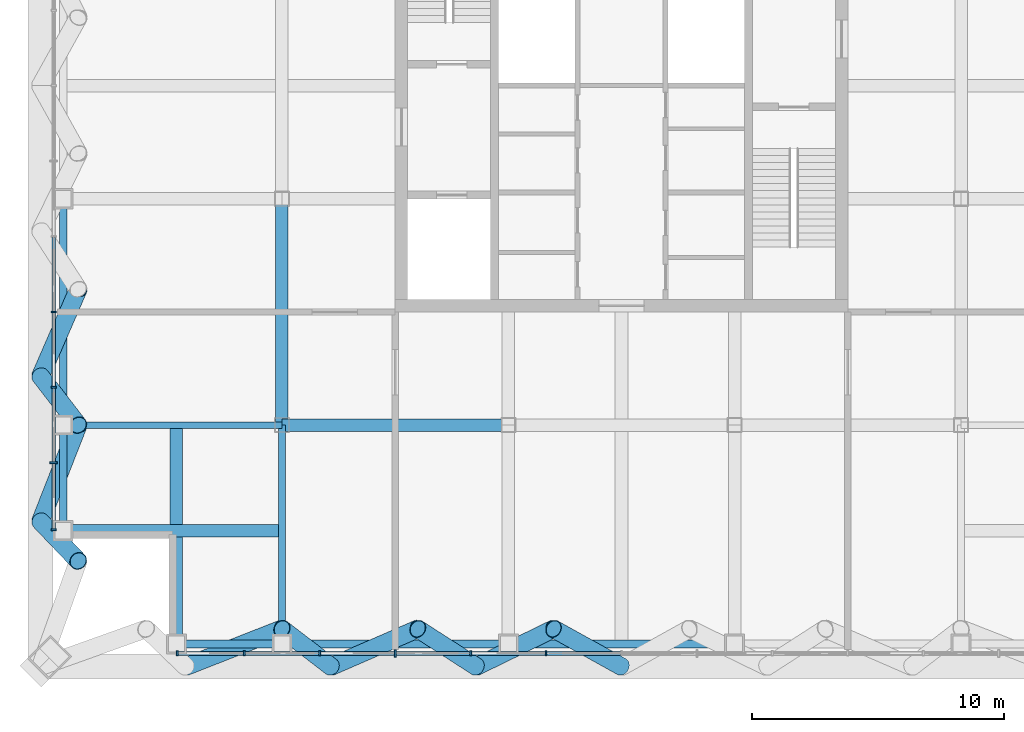
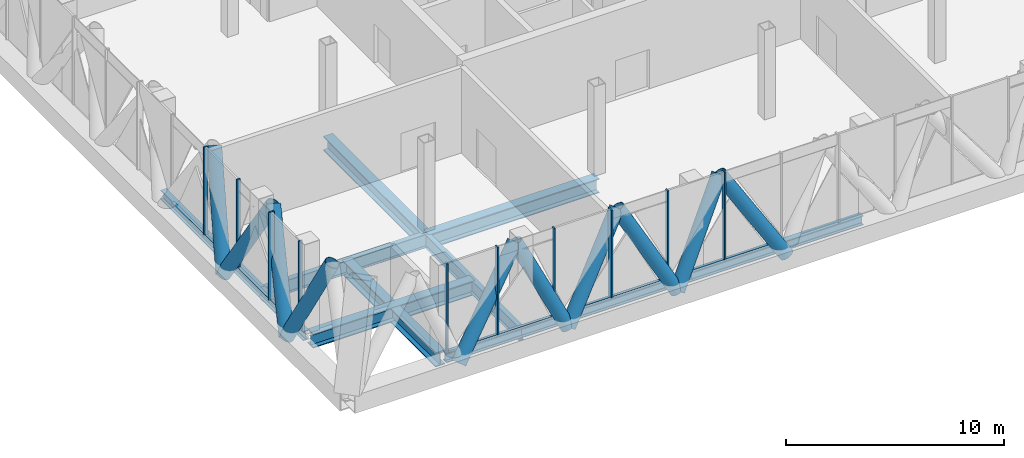
# One storey, part 2 of 27: 30 members, 11 beams, 2 elements without a shape of their own.
"""IFC4 building model written with IfcOpenShell, lengths in metres."""

from ifc_helpers import new_model, si_unit, direction, frame, origin, origin_2d, place, context, subcontext, project, spatial, rectangle, hollow_circle, i_section, extrude, material, layer, layer_set, material_profile, profile_set, type_object, element, aggregate, save


model = new_model("IFC4")

# Units and contexts
model_context = context("Model", 3, precision=1e-05, world=origin(), true_north=direction((0.0, 1.0)))
body_context = subcontext(model_context, "Body", "Model", "MODEL_VIEW")
ifc_project = project(units=[si_unit("LENGTHUNIT", "METRE"), si_unit("AREAUNIT", "SQUARE_METRE"), si_unit("VOLUMEUNIT", "CUBIC_METRE"), si_unit("PLANEANGLEUNIT", "RADIAN"), si_unit("MASSUNIT", "GRAM", prefix="KILO")], contexts=[model_context])

# Site, building, storey
site_placement = place(None, origin())
site = spatial("IfcSite", under=ifc_project, at=site_placement, CompositionType="ELEMENT")
building_placement = place(site_placement, origin())
building = spatial("IfcBuilding", under=site, at=building_placement, Name="Malebo Sky Hospital", CompositionType="ELEMENT")
storey_placement = place(building_placement, frame((0.0, 0.0, 245.0)))
storey = spatial("IfcBuildingStorey", under=building, at=storey_placement, Name="L59", CompositionType="ELEMENT", Elevation=245.0)

# Curtain wall, members
ifc_material_1 = material(Name="Anodised aluminium, natural silver", Category="aluminium")
ifc_layer = layer(ifc_material_1, 0.25)
ifc_layer_set = layer_set([ifc_layer], Name="PLANT LOUVRE SCREEN")
curtain_wall_type = type_object("IfcCurtainWallType", Name="PLANT LOUVRE SCREEN", PredefinedType="NOTDEFINED", material=ifc_layer_set)
curtain_wall_1_placement = place(storey_placement, origin())
curtain_wall_1 = element("IfcCurtainWall", 1, at=curtain_wall_1_placement, inside=storey, type_object=curtain_wall_type, Name="PLANT curtain wall W", PredefinedType="NOTDEFINED")
ifc_material_profile_1 = material_profile(ifc_material_1, rectangle(XDim=0.14990234375, YDim=0.10009765625, at=origin_2d()), Name="ALUMINIUM TRANSOM 150x100")
ifc_profile_set_1 = profile_set([ifc_material_profile_1], Name="Anodised aluminium, natural silver")
member_type_1 = type_object("IfcMemberType", Name="ALUMINIUM TRANSOM 150x100", PredefinedType="USERDEFINED", material=ifc_profile_set_1)
member_1_placement = place(storey_placement, frame((37.425048828125, 44.375, 0.050048828125), z_axis=(0.0, 1.0, 0.0), x_axis=(-1.0, 0.0, 0.0)))
member_1 = element("IfcMember", 2, at=member_1_placement, type_object=member_type_1, Name="Transom 1", ObjectType="TRANSOM", PredefinedType="USERDEFINED", context=body_context, shape_type="SweptSolid", body=[
    extrude(rectangle(XDim=0.14990234375, YDim=0.10009765625, at=origin_2d()), origin(), (0.0, 0.0, 1.0), 2.58740234375),
])
member_2_placement = place(storey_placement, frame((37.425048828125, 47.03759765625, 0.050048828125), z_axis=(0.0, 1.0, 0.0), x_axis=(-1.0, 0.0, 0.0)))
member_2 = element("IfcMember", 3, at=member_2_placement, type_object=member_type_1, Name="Transom 2", ObjectType="TRANSOM", PredefinedType="USERDEFINED", context=body_context, shape_type="SweptSolid", body=[
    extrude(rectangle(XDim=0.14990234375, YDim=0.10009765625, at=origin_2d()), origin(), (0.0, 0.0, 1.0), 2.9248046875),
])
member_3_placement = place(storey_placement, frame((37.425048828125, 50.03759765625, 0.050048828125), z_axis=(0.0, 1.0, 0.0), x_axis=(-1.0, 0.0, 0.0)))
member_3 = element("IfcMember", 4, at=member_3_placement, type_object=member_type_1, Name="Transom 3", ObjectType="TRANSOM", PredefinedType="USERDEFINED", context=body_context, shape_type="SweptSolid", body=[
    extrude(rectangle(XDim=0.14990234375, YDim=0.10009765625, at=origin_2d()), origin(), (0.0, 0.0, 1.0), 2.9248046875),
])
member_4_placement = place(storey_placement, frame((37.425048828125, 53.03759765625, 0.050048828125), z_axis=(0.0, 1.0, 0.0), x_axis=(-1.0, 0.0, 0.0)))
member_4 = element("IfcMember", 5, at=member_4_placement, type_object=member_type_1, Name="Transom 4", ObjectType="TRANSOM", PredefinedType="USERDEFINED", context=body_context, shape_type="SweptSolid", body=[
    extrude(rectangle(XDim=0.14990234375, YDim=0.10009765625, at=origin_2d()), origin(), (0.0, 0.0, 1.0), 2.9248046875),
])

curtain_wall_2_placement = place(storey_placement, origin())
curtain_wall_2 = element("IfcCurtainWall", 6, at=curtain_wall_2_placement, inside=storey, type_object=curtain_wall_type, Name="PLANT curtain wall S", PredefinedType="NOTDEFINED")
member_5_placement = place(storey_placement, frame((59.96240234375, 39.425048828125, 0.050048828125), z_axis=(-1.0, 0.0, 0.0), x_axis=(0.0, -1.0, 0.0)))
member_5 = element("IfcMember", 7, at=member_5_placement, type_object=member_type_1, Name="Transom 7", ObjectType="TRANSOM", PredefinedType="USERDEFINED", context=body_context, shape_type="SweptSolid", body=[
    extrude(rectangle(XDim=0.14990234375, YDim=0.10009765625, at=origin_2d()), origin(), (0.0, 0.0, 1.0), 2.9248046875),
])
member_6_placement = place(storey_placement, frame((56.96240234375, 39.425048828125, 0.050048828125), z_axis=(-1.0, 0.0, 0.0), x_axis=(0.0, -1.0, 0.0)))
member_6 = element("IfcMember", 8, at=member_6_placement, type_object=member_type_1, Name="Transom 8", ObjectType="TRANSOM", PredefinedType="USERDEFINED", context=body_context, shape_type="SweptSolid", body=[
    extrude(rectangle(XDim=0.14990234375, YDim=0.10009765625, at=origin_2d()), origin(), (0.0, 0.0, 1.0), 2.9248046875),
])
member_7_placement = place(storey_placement, frame((53.96240234375, 39.425048828125, 0.050048828125), z_axis=(-1.0, 0.0, 0.0), x_axis=(0.0, -1.0, 0.0)))
member_7 = element("IfcMember", 9, at=member_7_placement, type_object=member_type_1, Name="Transom 9", ObjectType="TRANSOM", PredefinedType="USERDEFINED", context=body_context, shape_type="SweptSolid", body=[
    extrude(rectangle(XDim=0.14990234375, YDim=0.10009765625, at=origin_2d()), origin(), (0.0, 0.0, 1.0), 2.9248046875),
])
member_8_placement = place(storey_placement, frame((50.96240234375, 39.425048828125, 0.050048828125), z_axis=(-1.0, 0.0, 0.0), x_axis=(0.0, -1.0, 0.0)))
member_8 = element("IfcMember", 10, at=member_8_placement, type_object=member_type_1, Name="Transom 10", ObjectType="TRANSOM", PredefinedType="USERDEFINED", context=body_context, shape_type="SweptSolid", body=[
    extrude(rectangle(XDim=0.14990234375, YDim=0.10009765625, at=origin_2d()), origin(), (0.0, 0.0, 1.0), 2.9248046875),
])
member_9_placement = place(storey_placement, frame((47.96240234375, 39.425048828125, 0.050048828125), z_axis=(-1.0, 0.0, 0.0), x_axis=(0.0, -1.0, 0.0)))
member_9 = element("IfcMember", 11, at=member_9_placement, type_object=member_type_1, Name="Transom 11", ObjectType="TRANSOM", PredefinedType="USERDEFINED", context=body_context, shape_type="SweptSolid", body=[
    extrude(rectangle(XDim=0.14990234375, YDim=0.10009765625, at=origin_2d()), origin(), (0.0, 0.0, 1.0), 2.9248046875),
])
member_10_placement = place(storey_placement, frame((44.96240234375, 39.425048828125, 0.050048828125), z_axis=(-1.0, 0.0, 0.0), x_axis=(0.0, -1.0, 0.0)))
member_10 = element("IfcMember", 12, at=member_10_placement, type_object=member_type_1, Name="Transom 12", ObjectType="TRANSOM", PredefinedType="USERDEFINED", context=body_context, shape_type="SweptSolid", body=[
    extrude(rectangle(XDim=0.14990234375, YDim=0.10009765625, at=origin_2d()), origin(), (0.0, 0.0, 1.0), 2.58740234375),
])

# Members
ifc_material_2 = material(Name="Steel S460", Category="steel")
ifc_material_profile_2 = material_profile(ifc_material_2, hollow_circle(Radius=0.35546875, WallThickness=0.02490234375, at=origin_2d()), Name="CHS 711x25")
ifc_profile_set_2 = profile_set([ifc_material_profile_2], Name="Steel S460")
member_type_2 = type_object("IfcMemberType", Name="BELT TRUSS DIAGONAL CHS 711x25", PredefinedType="BRACE", material=ifc_profile_set_2)
member_11_placement = place(storey_placement, frame((42.675048828125, 38.89990234375, -0.39990234375), z_axis=(0.623938635295, 0.244684941294, 0.742179128573), x_axis=(-0.365091568196, 0.930971614408, 0.0)))
element("IfcMember", 13, at=member_11_placement, inside=storey, type_object=member_type_2, Name="Belt truss diagonal S2.1 L59", PredefinedType="BRACE", context=body_context, shape_type="SweptSolid", body=[
    extrude(hollow_circle(Radius=0.35546875, WallThickness=0.02490234375, at=origin_2d()), origin(), (0.0, 0.0, 1.0), 6.13037109375),
])
member_12_placement = place(storey_placement, frame((46.5, 40.39990234375, 4.14990234375), z_axis=(0.376996423186, -0.290004510336, -0.879642587015), x_axis=(0.609720352615, 0.792616610731, 0.0)))
element("IfcMember", 14, at=member_12_placement, inside=storey, type_object=member_type_2, Name="Belt truss diagonal S2.2 L59", PredefinedType="BRACE", context=body_context, shape_type="SweptSolid", body=[
    extrude(hollow_circle(Radius=0.35546875, WallThickness=0.02490234375, at=origin_2d()), origin(), (0.0, 0.0, 1.0), 5.17236328125),
])
member_13_placement = place(storey_placement, frame((48.449951171875, 38.89990234375, -0.39990234375), z_axis=(0.584377622099, 0.254080823026, 0.770678746405), x_axis=(-0.398730857498, 0.917067992724, 0.0)))
element("IfcMember", 15, at=member_13_placement, inside=storey, type_object=member_type_2, Name="Belt truss diagonal S3.1 L59", PredefinedType="BRACE", context=body_context, shape_type="SweptSolid", body=[
    extrude(hollow_circle(Radius=0.35546875, WallThickness=0.02490234375, at=origin_2d()), origin(), (0.0, 0.0, 1.0), 5.903564453125),
])
member_14_placement = place(storey_placement, frame((51.89990234375, 40.39990234375, 4.14990234375), z_axis=(0.436643839632, -0.281682040183, -0.854398844539), x_axis=(0.542094714499, 0.840317392723, 0.0)))
element("IfcMember", 16, at=member_14_placement, inside=storey, type_object=member_type_2, Name="Belt truss diagonal S3.2 L59", PredefinedType="BRACE", context=body_context, shape_type="SweptSolid", body=[
    extrude(hollow_circle(Radius=0.35546875, WallThickness=0.02490234375, at=origin_2d()), origin(), (0.0, 0.0, 1.0), 5.3251953125),
])
member_15_placement = place(storey_placement, frame((54.22509765625, 38.89990234375, -0.39990234375), z_axis=(0.540163447452, 0.263498548721, 0.799244621414), x_axis=(-0.438429255686, 0.898765702371, 0.0)))
element("IfcMember", 17, at=member_15_placement, inside=storey, type_object=member_type_2, Name="Belt truss diagonal S4.1 L59", PredefinedType="BRACE", context=body_context, shape_type="SweptSolid", body=[
    extrude(hollow_circle(Radius=0.35546875, WallThickness=0.02490234375, at=origin_2d()), origin(), (0.0, 0.0, 1.0), 5.692626953125),
])
member_16_placement = place(storey_placement, frame((57.300048828125, 40.39990234375, 4.14990234375), z_axis=(0.490977647365, -0.272770292559, -0.827367703797), x_axis=(0.485649642493, 0.87415354758, 0.0)))
element("IfcMember", 18, at=member_16_placement, inside=storey, type_object=member_type_2, Name="Belt truss diagonal S4.2 L59", PredefinedType="BRACE", context=body_context, shape_type="SweptSolid", body=[
    extrude(hollow_circle(Radius=0.35546875, WallThickness=0.02490234375, at=origin_2d()), origin(), (0.0, 0.0, 1.0), 5.4990234375),
])
member_17_placement = place(storey_placement, frame((38.39990234375, 53.89990234375, 4.14990234375), z_axis=(-0.254080823026, -0.584377622099, -0.770678746405), x_axis=(0.917067992724, -0.398730857498, 0.0)))
element("IfcMember", 19, at=member_17_placement, inside=storey, type_object=member_type_2, Name="Belt truss diagonal W6.2 L59", PredefinedType="BRACE", context=body_context, shape_type="SweptSolid", body=[
    extrude(hollow_circle(Radius=0.35546875, WallThickness=0.02490234375, at=origin_2d()), origin(), (0.0, 0.0, 1.0), 5.903564453125),
])
member_18_placement = place(storey_placement, frame((36.89990234375, 50.449951171875, -0.39990234375), z_axis=(0.290004510336, -0.376996423186, 0.879642587015), x_axis=(0.792616610731, 0.609720352615, 0.0)))
element("IfcMember", 20, at=member_18_placement, inside=storey, type_object=member_type_2, Name="Belt truss diagonal W7.1 L59", PredefinedType="BRACE", context=body_context, shape_type="SweptSolid", body=[
    extrude(hollow_circle(Radius=0.35546875, WallThickness=0.02490234375, at=origin_2d()), origin(), (0.0, 0.0, 1.0), 5.17236328125),
])
member_19_placement = place(storey_placement, frame((38.39990234375, 48.5, 4.14990234375), z_axis=(-0.244684941294, -0.623938635295, -0.742179128573), x_axis=(0.930971614408, -0.365091568196, 0.0)))
element("IfcMember", 21, at=member_19_placement, inside=storey, type_object=member_type_2, Name="Belt truss diagonal W7.2 L59", PredefinedType="BRACE", context=body_context, shape_type="SweptSolid", body=[
    extrude(hollow_circle(Radius=0.35546875, WallThickness=0.02490234375, at=origin_2d()), origin(), (0.0, 0.0, 1.0), 6.13037109375),
])
member_20_placement = place(storey_placement, frame((36.89990234375, 44.675048828125, -0.39990234375), z_axis=(0.297445829863, -0.312308438875, 0.90221362066), x_axis=(0.724127253146, 0.689666384023, 0.0)))
element("IfcMember", 22, at=member_20_placement, inside=storey, type_object=member_type_2, Name="Belt truss diagonal W8.1 L59", PredefinedType="BRACE", context=body_context, shape_type="SweptSolid", body=[
    extrude(hollow_circle(Radius=0.35546875, WallThickness=0.02490234375, at=origin_2d()), origin(), (0.0, 0.0, 1.0), 5.04296875),
])

# Member
ifc_material_profile_3 = material_profile(ifc_material_1, rectangle(XDim=0.074951171875, YDim=0.199951171875, at=origin_2d()), Name="CW5 ALUMINIUM FIN MULLION 75x200")
ifc_profile_set_3 = profile_set([ifc_material_profile_3], Name="Anodised aluminium, natural silver")
member_type_3 = type_object("IfcMemberType", Name="CW5 ALUMINIUM FIN MULLION 75x200", PredefinedType="MULLION", material=ifc_profile_set_3)
member_21_placement = place(storey_placement, frame((37.425048828125, 44.33740234375, 0.0), z_axis=(0.0, 0.0, 1.0), x_axis=(0.0, 1.0, 0.0)))
member_21 = element("IfcMember", 23, at=member_21_placement, type_object=member_type_3, Name="Fin mullion 1", PredefinedType="MULLION", context=body_context, shape_type="SweptSolid", body=[
    extrude(rectangle(XDim=0.074951171875, YDim=0.199951171875, at=origin_2d()), origin(), (0.0, 0.0, 1.0), 5.0),
])

member_22_placement = place(storey_placement, frame((37.425048828125, 50.0, 0.0), z_axis=(0.0, 0.0, 1.0), x_axis=(0.0, 1.0, 0.0)))
member_22 = element("IfcMember", 24, at=member_22_placement, type_object=member_type_3, Name="Fin mullion 3", PredefinedType="MULLION", context=body_context, shape_type="SweptSolid", body=[
    extrude(rectangle(XDim=0.074951171875, YDim=0.199951171875, at=origin_2d()), origin(), (0.0, 0.0, 1.0), 5.0),
])

member_23_placement = place(storey_placement, frame((37.425048828125, 53.0, 0.0), z_axis=(0.0, 0.0, 1.0), x_axis=(0.0, 1.0, 0.0)))
member_23 = element("IfcMember", 25, at=member_23_placement, type_object=member_type_3, Name="Fin mullion 4", PredefinedType="MULLION", context=body_context, shape_type="SweptSolid", body=[
    extrude(rectangle(XDim=0.074951171875, YDim=0.199951171875, at=origin_2d()), origin(), (0.0, 0.0, 1.0), 5.0),
])

member_24_placement = place(storey_placement, frame((57.0, 39.425048828125, 0.0), z_axis=(0.0, 0.0, 1.0), x_axis=(-1.0, 0.0, 0.0)))
member_24 = element("IfcMember", 26, at=member_24_placement, type_object=member_type_3, Name="Fin mullion 8", PredefinedType="MULLION", context=body_context, shape_type="SweptSolid", body=[
    extrude(rectangle(XDim=0.074951171875, YDim=0.199951171875, at=origin_2d()), origin(), (0.0, 0.0, 1.0), 5.0),
])

member_25_placement = place(storey_placement, frame((54.0, 39.425048828125, 0.0), z_axis=(0.0, 0.0, 1.0), x_axis=(-1.0, 0.0, 0.0)))
member_25 = element("IfcMember", 27, at=member_25_placement, type_object=member_type_3, Name="Fin mullion 9", PredefinedType="MULLION", context=body_context, shape_type="SweptSolid", body=[
    extrude(rectangle(XDim=0.074951171875, YDim=0.199951171875, at=origin_2d()), origin(), (0.0, 0.0, 1.0), 5.0),
])

member_26_placement = place(storey_placement, frame((48.0, 39.425048828125, 0.0), z_axis=(0.0, 0.0, 1.0), x_axis=(-1.0, 0.0, 0.0)))
member_26 = element("IfcMember", 28, at=member_26_placement, type_object=member_type_3, Name="Fin mullion 11", PredefinedType="MULLION", context=body_context, shape_type="SweptSolid", body=[
    extrude(rectangle(XDim=0.074951171875, YDim=0.199951171875, at=origin_2d()), origin(), (0.0, 0.0, 1.0), 5.0),
])

member_27_placement = place(storey_placement, frame((45.0, 39.425048828125, 0.0), z_axis=(0.0, 0.0, 1.0), x_axis=(-1.0, 0.0, 0.0)))
member_27 = element("IfcMember", 29, at=member_27_placement, type_object=member_type_3, Name="Fin mullion 12", PredefinedType="MULLION", context=body_context, shape_type="SweptSolid", body=[
    extrude(rectangle(XDim=0.074951171875, YDim=0.199951171875, at=origin_2d()), origin(), (0.0, 0.0, 1.0), 5.0),
])

member_28_placement = place(storey_placement, frame((42.33740234375, 39.425048828125, 0.0), z_axis=(0.0, 0.0, 1.0), x_axis=(-1.0, 0.0, 0.0)))
member_28 = element("IfcMember", 30, at=member_28_placement, type_object=member_type_3, Name="Fin mullion 13", PredefinedType="MULLION", context=body_context, shape_type="SweptSolid", body=[
    extrude(rectangle(XDim=0.074951171875, YDim=0.199951171875, at=origin_2d()), origin(), (0.0, 0.0, 1.0), 5.0),
])

ifc_material_profile_4 = material_profile(ifc_material_1, rectangle(XDim=0.074951171875, YDim=0.300048828125, at=origin_2d()), Name="CW5 ALUMINIUM FIN MULLION 75x300")
ifc_profile_set_4 = profile_set([ifc_material_profile_4], Name="Anodised aluminium, natural silver")
member_type_4 = type_object("IfcMemberType", Name="CW5 ALUMINIUM FIN MULLION 75x300", PredefinedType="MULLION", material=ifc_profile_set_4)
member_29_placement = place(storey_placement, frame((37.425048828125, 47.0, 0.0), z_axis=(0.0, 0.0, 1.0), x_axis=(0.0, 1.0, 0.0)))
member_29 = element("IfcMember", 31, at=member_29_placement, type_object=member_type_4, Name="Fin mullion 2", PredefinedType="MULLION", context=body_context, shape_type="SweptSolid", body=[
    extrude(rectangle(XDim=0.074951171875, YDim=0.300048828125, at=origin_2d()), origin(), (0.0, 0.0, 1.0), 5.0),
])

aggregate(curtain_wall_1, [member_21, member_29, member_22, member_23, member_1, member_2, member_3, member_4])

member_30_placement = place(storey_placement, frame((51.0, 39.425048828125, 0.0), z_axis=(0.0, 0.0, 1.0), x_axis=(-1.0, 0.0, 0.0)))
member_30 = element("IfcMember", 32, at=member_30_placement, type_object=member_type_4, Name="Fin mullion 10", PredefinedType="MULLION", context=body_context, shape_type="SweptSolid", body=[
    extrude(rectangle(XDim=0.074951171875, YDim=0.300048828125, at=origin_2d()), origin(), (0.0, 0.0, 1.0), 5.0),
])

aggregate(curtain_wall_2, [member_24, member_25, member_30, member_26, member_27, member_28, member_5, member_6, member_7, member_8, member_9, member_10])

# Beams
ifc_material_3 = material(Name="Steel S355", Category="steel")
ifc_material_profile_5 = material_profile(ifc_material_3, i_section(OverallWidth=0.305908203125, OverallDepth=0.52392578125, WebThickness=0.02099609375, FlangeThickness=0.0400390625, FilletRadius=0.027099609375, at=origin_2d()), Name="HEM 500")
ifc_profile_set_5 = profile_set([ifc_material_profile_5], Name="Steel S355")
beam_type_1 = type_object("IfcBeamType", Name="EDGE BEAM HEM 500", PredefinedType="BEAM", material=ifc_profile_set_5)
beam_1_placement = place(storey_placement, frame((37.800048828125, 44.449951171875, -0.511962890625), z_axis=(0.0, 1.0, 0.0), x_axis=(-1.0, 0.0, 0.0)))
element("IfcBeam", 33, at=beam_1_placement, inside=storey, type_object=beam_type_1, Name="Beam 000 L59", PredefinedType="BEAM", context=body_context, shape_type="SweptSolid", body=[
    extrude(i_section(OverallWidth=0.305908203125, OverallDepth=0.52392578125, WebThickness=0.02099609375, FlangeThickness=0.0400390625, FilletRadius=0.027099609375, at=origin_2d()), origin(), (0.0, 0.0, 1.0), 4.050048828125),
])
beam_2_placement = place(storey_placement, frame((37.800048828125, 48.5, -0.511962890625), z_axis=(0.0, 1.0, 0.0), x_axis=(-1.0, 0.0, 0.0)))
element("IfcBeam", 34, at=beam_2_placement, inside=storey, type_object=beam_type_1, Name="Beam 001 L59", PredefinedType="BEAM", context=body_context, shape_type="SweptSolid", body=[
    extrude(i_section(OverallWidth=0.305908203125, OverallDepth=0.52392578125, WebThickness=0.02099609375, FlangeThickness=0.0400390625, FilletRadius=0.027099609375, at=origin_2d()), origin(), (0.0, 0.0, 1.0), 9.0),
])
beam_3_placement = place(storey_placement, frame((42.449951171875, 39.800048828125, -0.511962890625), z_axis=(1.0, 0.0, 0.0), x_axis=(0.0, 1.0, 0.0)))
element("IfcBeam", 35, at=beam_3_placement, inside=storey, type_object=beam_type_1, Name="Beam 034 L59", PredefinedType="BEAM", context=body_context, shape_type="SweptSolid", body=[
    extrude(i_section(OverallWidth=0.305908203125, OverallDepth=0.52392578125, WebThickness=0.02099609375, FlangeThickness=0.0400390625, FilletRadius=0.027099609375, at=origin_2d()), origin(), (0.0, 0.0, 1.0), 4.050048828125),
])
for number, where, z_axis, x_axis, name in (
    (36, (46.5, 39.800048828125, -0.511962890625), (1.0, 0.0, 0.0), (0.0, 1.0, 0.0), "Beam 035 L59"),
    (37, (55.5, 39.800048828125, -0.511962890625), (1.0, 0.0, 0.0), (0.0, 1.0, 0.0), "Beam 036 L59"),
):
    element("IfcBeam", number, at=place(storey_placement, frame(where, z_axis=z_axis, x_axis=x_axis)), inside=storey, type_object=beam_type_1, Name=name, PredefinedType="BEAM", context=body_context, shape_type="SweptSolid", body=[
        extrude(i_section(OverallWidth=0.305908203125, OverallDepth=0.52392578125, WebThickness=0.02099609375, FlangeThickness=0.0400390625, FilletRadius=0.027099609375, at=origin_2d()), origin(), (0.0, 0.0, 1.0), 9.0),
    ])
ifc_material_profile_6 = material_profile(ifc_material_3, i_section(OverallWidth=0.5, OverallDepth=0.800048828125, WebThickness=0.030029296875, FlangeThickness=0.050048828125, at=origin_2d()), Name="PG 800x500x30x50")
ifc_profile_set_6 = profile_set([ifc_material_profile_6], Name="Steel S355")
beam_type_2 = type_object("IfcBeamType", Name="FLOOR BEAM PG 800x500x30x50", PredefinedType="BEAM", material=ifc_profile_set_6)
beam_4_placement = place(storey_placement, frame((42.300048828125, 39.949951171875, -0.64990234375), z_axis=(0.0, 1.0, 0.0), x_axis=(-1.0, 0.0, 0.0)))
element("IfcBeam", 38, at=beam_4_placement, inside=storey, type_object=beam_type_2, Name="Beam 005 L59", PredefinedType="BEAM", context=body_context, shape_type="SweptSolid", body=[
    extrude(i_section(OverallWidth=0.5, OverallDepth=0.800048828125, WebThickness=0.030029296875, FlangeThickness=0.050048828125, at=origin_2d()), origin(), (0.0, 0.0, 1.0), 8.550048828125),
])
beam_5_placement = place(storey_placement, frame((46.5, 48.5, -0.64990234375), z_axis=(0.0, 1.0, 0.0), x_axis=(-1.0, 0.0, 0.0)))
element("IfcBeam", 39, at=beam_5_placement, inside=storey, type_object=beam_type_2, Name="Beam 008 L59", PredefinedType="BEAM", context=body_context, shape_type="SweptSolid", body=[
    extrude(i_section(OverallWidth=0.5, OverallDepth=0.800048828125, WebThickness=0.030029296875, FlangeThickness=0.050048828125, at=origin_2d()), origin(), (0.0, 0.0, 1.0), 9.0),
])
beam_6_placement = place(storey_placement, frame((37.949951171875, 44.300048828125, -0.64990234375), z_axis=(1.0, 0.0, 0.0), x_axis=(0.0, 1.0, 0.0)))
element("IfcBeam", 40, at=beam_6_placement, inside=storey, type_object=beam_type_2, Name="Beam 039 L59", PredefinedType="BEAM", context=body_context, shape_type="SweptSolid", body=[
    extrude(i_section(OverallWidth=0.5, OverallDepth=0.800048828125, WebThickness=0.030029296875, FlangeThickness=0.050048828125, at=origin_2d()), origin(), (0.0, 0.0, 1.0), 8.550048828125),
])
beam_7_placement = place(storey_placement, frame((46.5, 48.5, -0.64990234375), z_axis=(1.0, 0.0, 0.0), x_axis=(0.0, 1.0, 0.0)))
element("IfcBeam", 41, at=beam_7_placement, inside=storey, type_object=beam_type_2, Name="Beam 042 L59", PredefinedType="BEAM", context=body_context, shape_type="SweptSolid", body=[
    extrude(i_section(OverallWidth=0.5, OverallDepth=0.800048828125, WebThickness=0.030029296875, FlangeThickness=0.050048828125, at=origin_2d()), origin(), (0.0, 0.0, 1.0), 9.0),
])
ifc_material_profile_7 = material_profile(ifc_material_3, i_section(OverallWidth=0.26708984375, OverallDepth=0.761962890625, WebThickness=0.014404296875, FlangeThickness=0.021484375, FilletRadius=0.01708984375, at=origin_2d()), Name="IPE 750x173")
ifc_profile_set_7 = profile_set([ifc_material_profile_7], Name="Steel S355")
beam_type_3 = type_object("IfcBeamType", Name="FLOOR GIRDER IPE 750x173", PredefinedType="BEAM", material=ifc_profile_set_7)
for number, where, z_axis, x_axis, name in (
    (42, (46.5, 39.800048828125, -0.631103515625), (0.0, 1.0, 0.0), (-1.0, 0.0, 0.0), "Beam 007 L59"),
    (43, (37.800048828125, 48.5, -0.631103515625), (1.0, 0.0, 0.0), (0.0, 1.0, 0.0), "Beam 041 L59"),
):
    element("IfcBeam", number, at=place(storey_placement, frame(where, z_axis=z_axis, x_axis=x_axis)), inside=storey, type_object=beam_type_3, Name=name, PredefinedType="BEAM", context=body_context, shape_type="SweptSolid", body=[
        extrude(i_section(OverallWidth=0.26708984375, OverallDepth=0.761962890625, WebThickness=0.014404296875, FlangeThickness=0.021484375, FilletRadius=0.01708984375, at=origin_2d()), origin(), (0.0, 0.0, 1.0), 8.699951171875),
    ])

save(model, "model.ifc")
